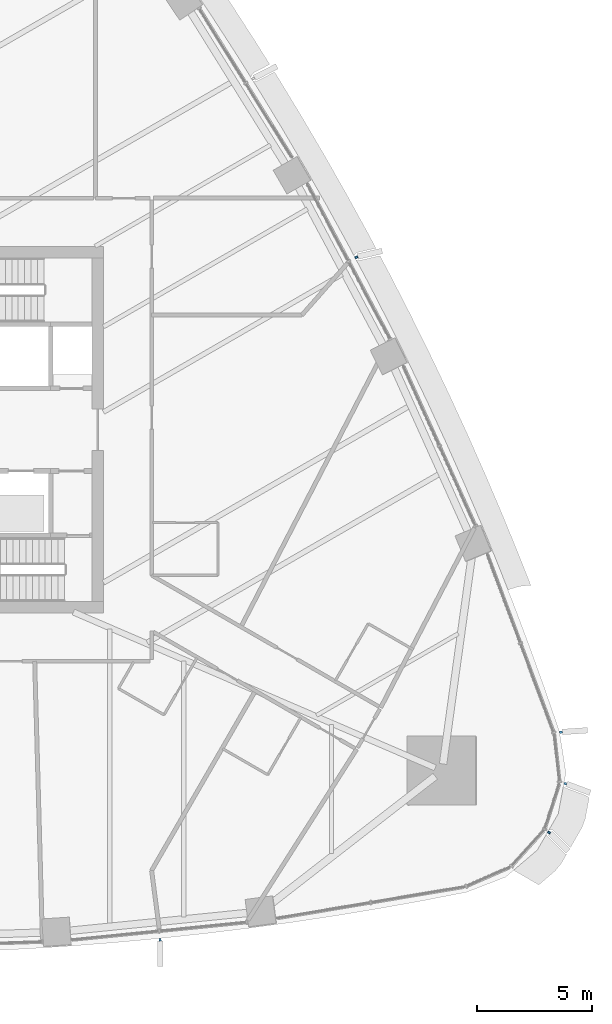
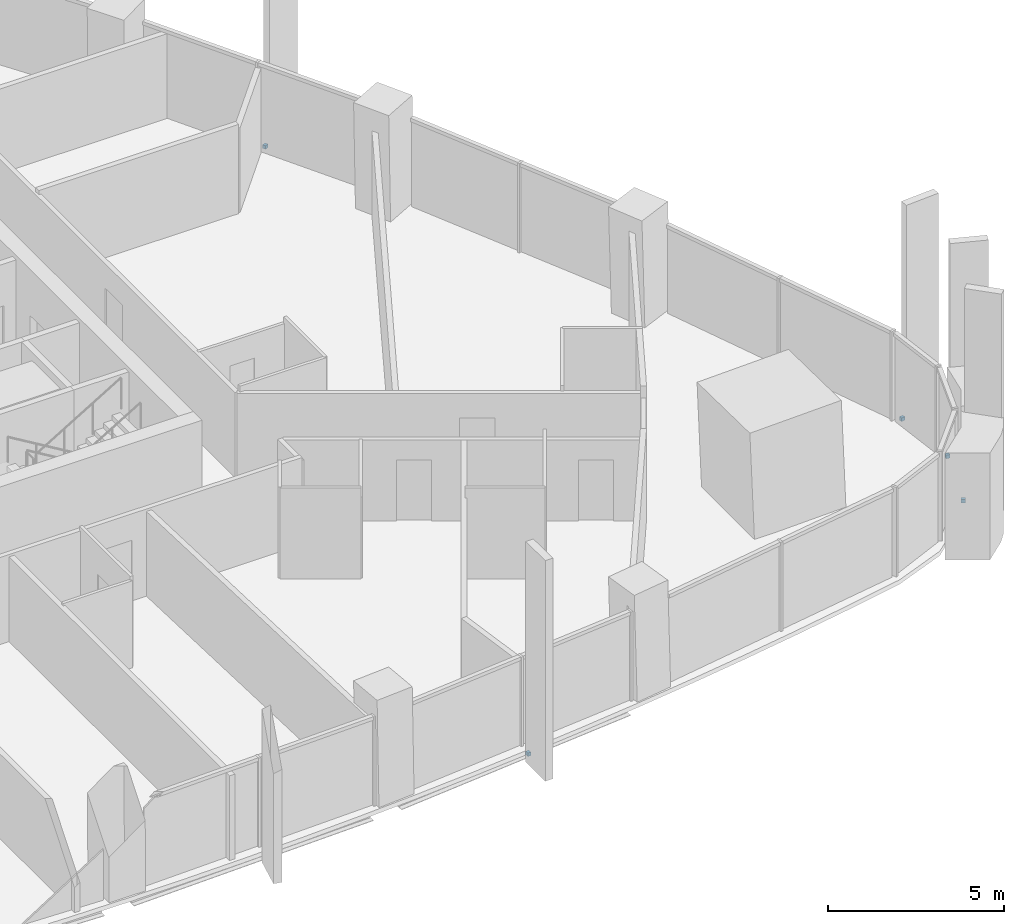
# One storey, part 16 of 22: 5 discrete accessories.
"""IFC4 building model written with IfcOpenShell, lengths in metres."""

from ifc_helpers import new_model, si_unit, direction, frame, origin, origin_2d, place, context, subcontext, project, spatial, rectangle, extrude, material, type_object, element, save


model = new_model("IFC4")

# Units and contexts
model_context = context("Model", 3, precision=1e-05, world=origin(), true_north=direction((0.0, 1.0)))
body_context = subcontext(model_context, "Body", "Model", "MODEL_VIEW")
ifc_project = project(units=[si_unit("LENGTHUNIT", "METRE"), si_unit("AREAUNIT", "SQUARE_METRE"), si_unit("VOLUMEUNIT", "CUBIC_METRE"), si_unit("PLANEANGLEUNIT", "RADIAN"), si_unit("MASSUNIT", "GRAM", prefix="KILO")], contexts=[model_context])

# Site, building, storey
site_placement = place(None, origin())
site = spatial("IfcSite", under=ifc_project, at=site_placement, CompositionType="ELEMENT")
building_placement = place(site_placement, origin())
building = spatial("IfcBuilding", under=site, at=building_placement, Name="Sierra Prisma Convention Tower", CompositionType="ELEMENT")
storey_placement = place(building_placement, frame((0.0, 0.0, 96.10009765625)))
storey = spatial("IfcBuildingStorey", under=building, at=storey_placement, Name="L20", CompositionType="ELEMENT", Elevation=96.10009765625)

# Discrete accessories
ifc_material = material(Name="Stainless steel 316", Category="steel")
discrete_accessory_type = type_object("IfcDiscreteAccessoryType", Name="Fin bracket", PredefinedType="BRACKET", material=ifc_material)
for number, where, z_axis, x_axis, name in (
    (1, (13.46923828125, -22.24853515625, -0.13525390625), (0.0, 0.0, 1.0), (0.092533569083, -0.995709565382, 0.0), "Fin bracket L20.14 base"),
    (2, (30.43359375, -17.57080078125, -0.13525390625), (0.0, 0.0, 1.0), (0.866025403784, -0.5, 0.0), "Fin bracket L20.20 base"),
    (3, (31.143310546875, -15.438720703125, -0.13525390625), (0.0, 0.0, 1.0), (0.98301797413, -0.18350929823, 0.0), "Fin bracket L20.21 base"),
    (4, (30.956787109375, -13.19287109375, -0.13525390625), (0.0, 0.0, 1.0), (0.988090383872, 0.153874602517, 0.0), "Fin bracket L20.22 base"),
    (5, (22.031494140625, 7.524658203125, -0.13525390625), (0.0, 0.0, 1.0), (0.883292057448, 0.468823144959, 0.0), "Fin bracket L20.29 base"),
):
    element("IfcDiscreteAccessory", number, at=place(storey_placement, frame(where, z_axis=z_axis, x_axis=x_axis)), inside=storey, type_object=discrete_accessory_type, Name=name, PredefinedType="BRACKET", context=body_context, shape_type="SweptSolid", body=[
        extrude(rectangle(XDim=0.1201171875, YDim=0.10009765625, at=origin_2d()), origin(), (0.0, 0.0, 1.0), 0.1201171875),
    ])

save(model, "model.ifc")
